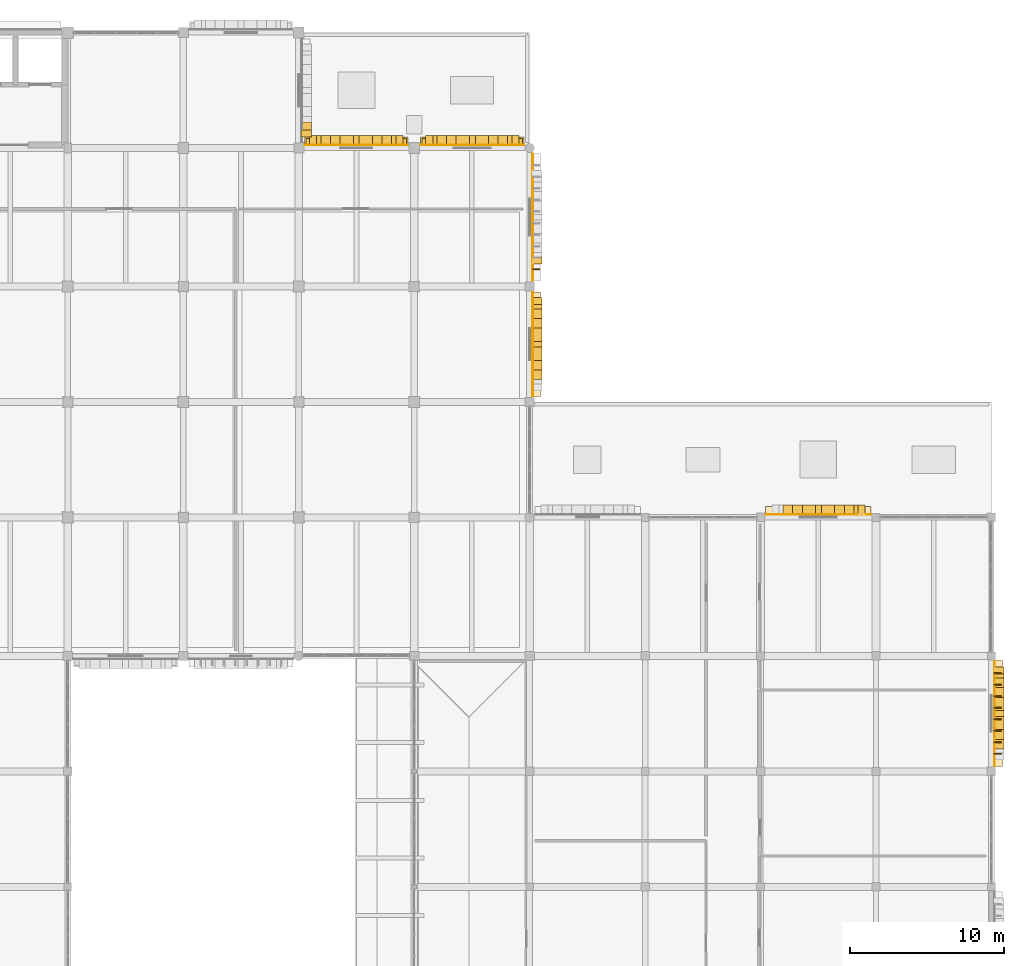
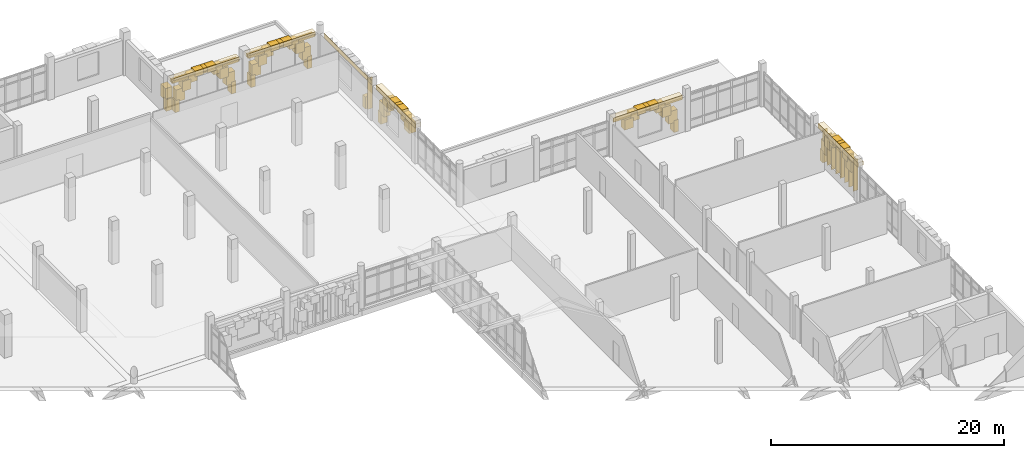
# One storey, part 127 of 128: 63 coverings, 11 shading devices.
"""IFC4 building model written with IfcOpenShell, lengths in metres."""

from ifc_helpers import new_model, si_unit, direction, frame, origin, origin_2d, place, context, subcontext, project, spatial, rectangle, extrude, material, layer, layer_set, type_object, element, save


model = new_model("IFC4")

# Units and contexts
model_context = context("Model", 3, precision=1e-05, world=origin(), true_north=direction((0.0, 1.0)))
body_context = subcontext(model_context, "Body", "Model", "MODEL_VIEW")
ifc_project = project(units=[si_unit("LENGTHUNIT", "METRE"), si_unit("AREAUNIT", "SQUARE_METRE"), si_unit("VOLUMEUNIT", "CUBIC_METRE"), si_unit("PLANEANGLEUNIT", "RADIAN"), si_unit("MASSUNIT", "GRAM", prefix="KILO")], contexts=[model_context])

# Site, building, storey
site_placement = place(None, origin())
site = spatial("IfcSite", under=ifc_project, at=site_placement, CompositionType="ELEMENT")
building_placement = place(site_placement, origin())
building = spatial("IfcBuilding", under=site, at=building_placement, Name="Dalvernix Boulevard General Hospital", CompositionType="ELEMENT")
storey_placement = place(building_placement, frame((0.0, 0.0, 4.800048828125)))
storey = spatial("IfcBuildingStorey", under=building, at=storey_placement, Name="L01", CompositionType="ELEMENT", Elevation=4.800048828125)

# Coverings
ifc_material_1 = material(Name="Pressed Catalan clay brick and dressed limestone parabolic archivolt", Category="masonry")
ifc_layer_1 = layer(ifc_material_1, 0.419921875)
ifc_layer_set_1 = layer_set([ifc_layer_1], Name="Pressed Catalan clay brick and dressed limestone parabolic archivolt (COV-ARC-01)")
covering_type_1 = type_object("IfcCoveringType", Name="COV-ARC-01", PredefinedType="CLADDING", material=ifc_layer_set_1)
covering_1_placement = place(storey_placement, frame((127.985107421875, 110.4375, 0.0), z_axis=(0.0, 0.0, 1.0), x_axis=(0.0, -1.0, 0.0)))
element("IfcCovering", 1, at=covering_1_placement, inside=storey, type_object=covering_type_1, Name="L01 Catalan parabolic arch impost pier E 17-14-R", PredefinedType="CLADDING", context=body_context, shape_type="SweptSolid", body=[
    extrude(rectangle(XDim=0.4599609375, YDim=0.659912109375, at=origin_2d()), origin(), (0.0, 0.0, 1.0), 1.25),
])
covering_2_placement = place(storey_placement, frame((127.985107421875, 110.74853515625, 1.06005859375), z_axis=(0.0, 0.0, 1.0), x_axis=(0.0, -1.0, 0.0)))
element("IfcCovering", 2, at=covering_2_placement, inside=storey, type_object=covering_type_1, Name="L01 Catalan parabolic archivolt voussoir E 17-14-9", PredefinedType="CLADDING", context=body_context, shape_type="SweptSolid", body=[
    extrude(rectangle(XDim=0.8623046875, YDim=0.659912109375, at=origin_2d()), origin(), (0.0, 0.0, 1.0), 1.272705078125),
])
for number, where, z_axis, x_axis, name in (
    (3, (128.4375, 109.985107421875, 0.0), (0.0, 0.0, 1.0), (1.0, 0.0, 0.0), "L01 Catalan parabolic arch impost pier N 17-14-L"),
    (4, (134.03759765625, 109.985107421875, 0.0), (0.0, 0.0, 1.0), (1.0, 0.0, 0.0), "L01 Catalan parabolic arch impost pier N 17-14-R"),
):
    element("IfcCovering", number, at=place(storey_placement, frame(where, z_axis=z_axis, x_axis=x_axis)), inside=storey, type_object=covering_type_1, Name=name, PredefinedType="CLADDING", context=body_context, shape_type="SweptSolid", body=[
        extrude(rectangle(XDim=0.4599609375, YDim=0.659912109375, at=origin_2d()), origin(), (0.0, 0.0, 1.0), 1.25),
    ])
covering_3_placement = place(storey_placement, frame((128.74853515625, 109.985107421875, 1.06005859375), z_axis=(0.0, 0.0, 1.0), x_axis=(1.0, 0.0, 0.0)))
element("IfcCovering", 5, at=covering_3_placement, inside=storey, type_object=covering_type_1, Name="L01 Catalan parabolic archivolt voussoir N 17-14-1", PredefinedType="CLADDING", context=body_context, shape_type="SweptSolid", body=[
    extrude(rectangle(XDim=0.8623046875, YDim=0.659912109375, at=origin_2d()), origin(), (0.0, 0.0, 1.0), 1.272705078125),
])
covering_4_placement = place(storey_placement, frame((129.370849609375, 109.985107421875, 1.95263671875), z_axis=(0.0, 0.0, 1.0), x_axis=(1.0, 0.0, 0.0)))
element("IfcCovering", 6, at=covering_4_placement, inside=storey, type_object=covering_type_1, Name="L01 Catalan parabolic archivolt voussoir N 17-14-2", PredefinedType="CLADDING", context=body_context, shape_type="SweptSolid", body=[
    extrude(rectangle(XDim=0.8623046875, YDim=0.659912109375, at=origin_2d()), origin(), (0.0, 0.0, 1.0), 1.049560546875),
])
covering_5_placement = place(storey_placement, frame((129.9931640625, 109.985107421875, 2.62255859375), z_axis=(0.0, 0.0, 1.0), x_axis=(1.0, 0.0, 0.0)))
element("IfcCovering", 7, at=covering_5_placement, inside=storey, type_object=covering_type_1, Name="L01 Catalan parabolic archivolt voussoir N 17-14-3", PredefinedType="CLADDING", context=body_context, shape_type="SweptSolid", body=[
    extrude(rectangle(XDim=0.8623046875, YDim=0.659912109375, at=origin_2d()), origin(), (0.0, 0.0, 1.0), 0.826416015625),
])
covering_6_placement = place(storey_placement, frame((130.615234375, 109.985107421875, 3.06884765625), z_axis=(0.0, 0.0, 1.0), x_axis=(1.0, 0.0, 0.0)))
element("IfcCovering", 8, at=covering_6_placement, inside=storey, type_object=covering_type_1, Name="L01 Catalan parabolic archivolt voussoir N 17-14-4", PredefinedType="CLADDING", context=body_context, shape_type="SweptSolid", body=[
    extrude(rectangle(XDim=0.8623046875, YDim=0.659912109375, at=origin_2d()), origin(), (0.0, 0.0, 1.0), 0.603271484375),
])
covering_7_placement = place(storey_placement, frame((131.237548828125, 109.985107421875, 3.2919921875), z_axis=(0.0, 0.0, 1.0), x_axis=(1.0, 0.0, 0.0)))
element("IfcCovering", 9, at=covering_7_placement, inside=storey, type_object=covering_type_1, Name="L01 Catalan parabolic archivolt voussoir N 17-14-5", PredefinedType="CLADDING", context=body_context, shape_type="SweptSolid", body=[
    extrude(rectangle(XDim=0.8623046875, YDim=0.659912109375, at=origin_2d()), origin(), (0.0, 0.0, 1.0), 0.3798828125),
])
covering_8_placement = place(storey_placement, frame((131.859619140625, 109.985107421875, 3.06884765625), z_axis=(0.0, 0.0, 1.0), x_axis=(1.0, 0.0, 0.0)))
element("IfcCovering", 10, at=covering_8_placement, inside=storey, type_object=covering_type_1, Name="L01 Catalan parabolic archivolt voussoir N 17-14-6", PredefinedType="CLADDING", context=body_context, shape_type="SweptSolid", body=[
    extrude(rectangle(XDim=0.8623046875, YDim=0.659912109375, at=origin_2d()), origin(), (0.0, 0.0, 1.0), 0.603271484375),
])
covering_9_placement = place(storey_placement, frame((132.48193359375, 109.985107421875, 2.62255859375), z_axis=(0.0, 0.0, 1.0), x_axis=(1.0, 0.0, 0.0)))
element("IfcCovering", 11, at=covering_9_placement, inside=storey, type_object=covering_type_1, Name="L01 Catalan parabolic archivolt voussoir N 17-14-7", PredefinedType="CLADDING", context=body_context, shape_type="SweptSolid", body=[
    extrude(rectangle(XDim=0.8623046875, YDim=0.659912109375, at=origin_2d()), origin(), (0.0, 0.0, 1.0), 0.826416015625),
])
covering_10_placement = place(storey_placement, frame((133.104248046875, 109.985107421875, 1.95263671875), z_axis=(0.0, 0.0, 1.0), x_axis=(1.0, 0.0, 0.0)))
element("IfcCovering", 12, at=covering_10_placement, inside=storey, type_object=covering_type_1, Name="L01 Catalan parabolic archivolt voussoir N 17-14-8", PredefinedType="CLADDING", context=body_context, shape_type="SweptSolid", body=[
    extrude(rectangle(XDim=0.8623046875, YDim=0.659912109375, at=origin_2d()), origin(), (0.0, 0.0, 1.0), 1.049560546875),
])
covering_11_placement = place(storey_placement, frame((133.726318359375, 109.985107421875, 1.06005859375), z_axis=(0.0, 0.0, 1.0), x_axis=(1.0, 0.0, 0.0)))
element("IfcCovering", 13, at=covering_11_placement, inside=storey, type_object=covering_type_1, Name="L01 Catalan parabolic archivolt voussoir N 17-14-9", PredefinedType="CLADDING", context=body_context, shape_type="SweptSolid", body=[
    extrude(rectangle(XDim=0.8623046875, YDim=0.659912109375, at=origin_2d()), origin(), (0.0, 0.0, 1.0), 1.272705078125),
])
covering_12_placement = place(storey_placement, frame((142.985107421875, 99.550048828125, 0.0), z_axis=(0.0, 0.0, 1.0), x_axis=(0.0, -1.0, 0.0)))
element("IfcCovering", 14, at=covering_12_placement, inside=storey, type_object=covering_type_1, Name="L01 Catalan parabolic arch impost pier E 19-12-L", PredefinedType="CLADDING", context=body_context, shape_type="SweptSolid", body=[
    extrude(rectangle(XDim=0.4599609375, YDim=0.659912109375, at=origin_2d()), origin(), (0.0, 0.0, 1.0), 1.25),
])
covering_13_placement = place(storey_placement, frame((142.985107421875, 99.239013671875, 1.06005859375), z_axis=(0.0, 0.0, 1.0), x_axis=(0.0, -1.0, 0.0)))
element("IfcCovering", 15, at=covering_13_placement, inside=storey, type_object=covering_type_1, Name="L01 Catalan parabolic archivolt voussoir E 19-12-1", PredefinedType="CLADDING", context=body_context, shape_type="SweptSolid", body=[
    extrude(rectangle(XDim=0.8623046875, YDim=0.659912109375, at=origin_2d()), origin(), (0.0, 0.0, 1.0), 1.272705078125),
])
covering_14_placement = place(storey_placement, frame((142.985107421875, 98.61669921875, 1.95263671875), z_axis=(0.0, 0.0, 1.0), x_axis=(0.0, -1.0, 0.0)))
element("IfcCovering", 16, at=covering_14_placement, inside=storey, type_object=covering_type_1, Name="L01 Catalan parabolic archivolt voussoir E 19-12-2", PredefinedType="CLADDING", context=body_context, shape_type="SweptSolid", body=[
    extrude(rectangle(XDim=0.8623046875, YDim=0.659912109375, at=origin_2d()), origin(), (0.0, 0.0, 1.0), 1.049560546875),
])
covering_15_placement = place(storey_placement, frame((142.985107421875, 97.994384765625, 2.62255859375), z_axis=(0.0, 0.0, 1.0), x_axis=(0.0, -1.0, 0.0)))
element("IfcCovering", 17, at=covering_15_placement, inside=storey, type_object=covering_type_1, Name="L01 Catalan parabolic archivolt voussoir E 19-12-3", PredefinedType="CLADDING", context=body_context, shape_type="SweptSolid", body=[
    extrude(rectangle(XDim=0.8623046875, YDim=0.659912109375, at=origin_2d()), origin(), (0.0, 0.0, 1.0), 0.826416015625),
])
covering_16_placement = place(storey_placement, frame((142.985107421875, 97.372314453125, 3.06884765625), z_axis=(0.0, 0.0, 1.0), x_axis=(0.0, -1.0, 0.0)))
element("IfcCovering", 18, at=covering_16_placement, inside=storey, type_object=covering_type_1, Name="L01 Catalan parabolic archivolt voussoir E 19-12-4", PredefinedType="CLADDING", context=body_context, shape_type="SweptSolid", body=[
    extrude(rectangle(XDim=0.8623046875, YDim=0.659912109375, at=origin_2d()), origin(), (0.0, 0.0, 1.0), 0.603271484375),
])
covering_17_placement = place(storey_placement, frame((142.985107421875, 96.75, 3.2919921875), z_axis=(0.0, 0.0, 1.0), x_axis=(0.0, -1.0, 0.0)))
element("IfcCovering", 19, at=covering_17_placement, inside=storey, type_object=covering_type_1, Name="L01 Catalan parabolic archivolt voussoir E 19-12-5", PredefinedType="CLADDING", context=body_context, shape_type="SweptSolid", body=[
    extrude(rectangle(XDim=0.8623046875, YDim=0.659912109375, at=origin_2d()), origin(), (0.0, 0.0, 1.0), 0.3798828125),
])
covering_18_placement = place(storey_placement, frame((142.985107421875, 96.127685546875, 3.06884765625), z_axis=(0.0, 0.0, 1.0), x_axis=(0.0, -1.0, 0.0)))
element("IfcCovering", 20, at=covering_18_placement, inside=storey, type_object=covering_type_1, Name="L01 Catalan parabolic archivolt voussoir E 19-12-6", PredefinedType="CLADDING", context=body_context, shape_type="SweptSolid", body=[
    extrude(rectangle(XDim=0.8623046875, YDim=0.659912109375, at=origin_2d()), origin(), (0.0, 0.0, 1.0), 0.603271484375),
])
covering_19_placement = place(storey_placement, frame((142.985107421875, 95.505615234375, 2.62255859375), z_axis=(0.0, 0.0, 1.0), x_axis=(0.0, -1.0, 0.0)))
element("IfcCovering", 21, at=covering_19_placement, inside=storey, type_object=covering_type_1, Name="L01 Catalan parabolic archivolt voussoir E 19-12-7", PredefinedType="CLADDING", context=body_context, shape_type="SweptSolid", body=[
    extrude(rectangle(XDim=0.8623046875, YDim=0.659912109375, at=origin_2d()), origin(), (0.0, 0.0, 1.0), 0.826416015625),
])
covering_20_placement = place(storey_placement, frame((142.985107421875, 94.88330078125, 1.95263671875), z_axis=(0.0, 0.0, 1.0), x_axis=(0.0, -1.0, 0.0)))
element("IfcCovering", 22, at=covering_20_placement, inside=storey, type_object=covering_type_1, Name="L01 Catalan parabolic archivolt voussoir E 19-12-8", PredefinedType="CLADDING", context=body_context, shape_type="SweptSolid", body=[
    extrude(rectangle(XDim=0.8623046875, YDim=0.659912109375, at=origin_2d()), origin(), (0.0, 0.0, 1.0), 1.049560546875),
])
for number, where, z_axis, x_axis, name in (
    (23, (135.97509765625, 109.985107421875, 0.0), (0.0, 0.0, 1.0), (1.0, 0.0, 0.0), "L01 Catalan parabolic arch impost pier N 18-14-L"),
    (24, (141.574951171875, 109.985107421875, 0.0), (0.0, 0.0, 1.0), (1.0, 0.0, 0.0), "L01 Catalan parabolic arch impost pier N 18-14-R"),
):
    element("IfcCovering", number, at=place(storey_placement, frame(where, z_axis=z_axis, x_axis=x_axis)), inside=storey, type_object=covering_type_1, Name=name, PredefinedType="CLADDING", context=body_context, shape_type="SweptSolid", body=[
        extrude(rectangle(XDim=0.4599609375, YDim=0.659912109375, at=origin_2d()), origin(), (0.0, 0.0, 1.0), 1.25),
    ])
covering_21_placement = place(storey_placement, frame((136.2861328125, 109.985107421875, 1.06005859375), z_axis=(0.0, 0.0, 1.0), x_axis=(1.0, 0.0, 0.0)))
element("IfcCovering", 25, at=covering_21_placement, inside=storey, type_object=covering_type_1, Name="L01 Catalan parabolic archivolt voussoir N 18-14-1", PredefinedType="CLADDING", context=body_context, shape_type="SweptSolid", body=[
    extrude(rectangle(XDim=0.8623046875, YDim=0.659912109375, at=origin_2d()), origin(), (0.0, 0.0, 1.0), 1.272705078125),
])
covering_22_placement = place(storey_placement, frame((136.908203125, 109.985107421875, 1.95263671875), z_axis=(0.0, 0.0, 1.0), x_axis=(1.0, 0.0, 0.0)))
element("IfcCovering", 26, at=covering_22_placement, inside=storey, type_object=covering_type_1, Name="L01 Catalan parabolic archivolt voussoir N 18-14-2", PredefinedType="CLADDING", context=body_context, shape_type="SweptSolid", body=[
    extrude(rectangle(XDim=0.8623046875, YDim=0.659912109375, at=origin_2d()), origin(), (0.0, 0.0, 1.0), 1.049560546875),
])
covering_23_placement = place(storey_placement, frame((137.530517578125, 109.985107421875, 2.62255859375), z_axis=(0.0, 0.0, 1.0), x_axis=(1.0, 0.0, 0.0)))
element("IfcCovering", 27, at=covering_23_placement, inside=storey, type_object=covering_type_1, Name="L01 Catalan parabolic archivolt voussoir N 18-14-3", PredefinedType="CLADDING", context=body_context, shape_type="SweptSolid", body=[
    extrude(rectangle(XDim=0.8623046875, YDim=0.659912109375, at=origin_2d()), origin(), (0.0, 0.0, 1.0), 0.826416015625),
])
covering_24_placement = place(storey_placement, frame((138.15283203125, 109.985107421875, 3.06884765625), z_axis=(0.0, 0.0, 1.0), x_axis=(1.0, 0.0, 0.0)))
element("IfcCovering", 28, at=covering_24_placement, inside=storey, type_object=covering_type_1, Name="L01 Catalan parabolic archivolt voussoir N 18-14-4", PredefinedType="CLADDING", context=body_context, shape_type="SweptSolid", body=[
    extrude(rectangle(XDim=0.8623046875, YDim=0.659912109375, at=origin_2d()), origin(), (0.0, 0.0, 1.0), 0.603271484375),
])
covering_25_placement = place(storey_placement, frame((138.77490234375, 109.985107421875, 3.2919921875), z_axis=(0.0, 0.0, 1.0), x_axis=(1.0, 0.0, 0.0)))
element("IfcCovering", 29, at=covering_25_placement, inside=storey, type_object=covering_type_1, Name="L01 Catalan parabolic archivolt voussoir N 18-14-5", PredefinedType="CLADDING", context=body_context, shape_type="SweptSolid", body=[
    extrude(rectangle(XDim=0.8623046875, YDim=0.659912109375, at=origin_2d()), origin(), (0.0, 0.0, 1.0), 0.3798828125),
])
covering_26_placement = place(storey_placement, frame((139.397216796875, 109.985107421875, 3.06884765625), z_axis=(0.0, 0.0, 1.0), x_axis=(1.0, 0.0, 0.0)))
element("IfcCovering", 30, at=covering_26_placement, inside=storey, type_object=covering_type_1, Name="L01 Catalan parabolic archivolt voussoir N 18-14-6", PredefinedType="CLADDING", context=body_context, shape_type="SweptSolid", body=[
    extrude(rectangle(XDim=0.8623046875, YDim=0.659912109375, at=origin_2d()), origin(), (0.0, 0.0, 1.0), 0.603271484375),
])
covering_27_placement = place(storey_placement, frame((140.019287109375, 109.985107421875, 2.62255859375), z_axis=(0.0, 0.0, 1.0), x_axis=(1.0, 0.0, 0.0)))
element("IfcCovering", 31, at=covering_27_placement, inside=storey, type_object=covering_type_1, Name="L01 Catalan parabolic archivolt voussoir N 18-14-7", PredefinedType="CLADDING", context=body_context, shape_type="SweptSolid", body=[
    extrude(rectangle(XDim=0.8623046875, YDim=0.659912109375, at=origin_2d()), origin(), (0.0, 0.0, 1.0), 0.826416015625),
])
covering_28_placement = place(storey_placement, frame((140.6416015625, 109.985107421875, 1.95263671875), z_axis=(0.0, 0.0, 1.0), x_axis=(1.0, 0.0, 0.0)))
element("IfcCovering", 32, at=covering_28_placement, inside=storey, type_object=covering_type_1, Name="L01 Catalan parabolic archivolt voussoir N 18-14-8", PredefinedType="CLADDING", context=body_context, shape_type="SweptSolid", body=[
    extrude(rectangle(XDim=0.8623046875, YDim=0.659912109375, at=origin_2d()), origin(), (0.0, 0.0, 1.0), 1.049560546875),
])
covering_29_placement = place(storey_placement, frame((141.263916015625, 109.985107421875, 1.06005859375), z_axis=(0.0, 0.0, 1.0), x_axis=(1.0, 0.0, 0.0)))
element("IfcCovering", 33, at=covering_29_placement, inside=storey, type_object=covering_type_1, Name="L01 Catalan parabolic archivolt voussoir N 18-14-9", PredefinedType="CLADDING", context=body_context, shape_type="SweptSolid", body=[
    extrude(rectangle(XDim=0.8623046875, YDim=0.659912109375, at=origin_2d()), origin(), (0.0, 0.0, 1.0), 1.272705078125),
])
for number, where, z_axis, x_axis, name in (
    (34, (142.985107421875, 102.199951171875, 0.0), (0.0, 0.0, 1.0), (0.0, -1.0, 0.0), "L01 Catalan parabolic arch impost pier E 19-13-R"),
    (35, (164.0625, 85.985107421875, 0.0), (0.0, 0.0, 1.0), (1.0, 0.0, 0.0), "L01 Catalan parabolic arch impost pier N 21-11-R"),
):
    element("IfcCovering", number, at=place(storey_placement, frame(where, z_axis=z_axis, x_axis=x_axis)), inside=storey, type_object=covering_type_1, Name=name, PredefinedType="CLADDING", context=body_context, shape_type="SweptSolid", body=[
        extrude(rectangle(XDim=0.4599609375, YDim=0.659912109375, at=origin_2d()), origin(), (0.0, 0.0, 1.0), 1.25),
    ])
covering_30_placement = place(storey_placement, frame((159.395751953125, 85.985107421875, 1.95263671875), z_axis=(0.0, 0.0, 1.0), x_axis=(1.0, 0.0, 0.0)))
element("IfcCovering", 36, at=covering_30_placement, inside=storey, type_object=covering_type_1, Name="L01 Catalan parabolic archivolt voussoir N 21-11-2", PredefinedType="CLADDING", context=body_context, shape_type="SweptSolid", body=[
    extrude(rectangle(XDim=0.8623046875, YDim=0.659912109375, at=origin_2d()), origin(), (0.0, 0.0, 1.0), 1.049560546875),
])
covering_31_placement = place(storey_placement, frame((160.01806640625, 85.985107421875, 2.62255859375), z_axis=(0.0, 0.0, 1.0), x_axis=(1.0, 0.0, 0.0)))
element("IfcCovering", 37, at=covering_31_placement, inside=storey, type_object=covering_type_1, Name="L01 Catalan parabolic archivolt voussoir N 21-11-3", PredefinedType="CLADDING", context=body_context, shape_type="SweptSolid", body=[
    extrude(rectangle(XDim=0.8623046875, YDim=0.659912109375, at=origin_2d()), origin(), (0.0, 0.0, 1.0), 0.826416015625),
])
covering_32_placement = place(storey_placement, frame((160.640380859375, 85.985107421875, 3.06884765625), z_axis=(0.0, 0.0, 1.0), x_axis=(1.0, 0.0, 0.0)))
element("IfcCovering", 38, at=covering_32_placement, inside=storey, type_object=covering_type_1, Name="L01 Catalan parabolic archivolt voussoir N 21-11-4", PredefinedType="CLADDING", context=body_context, shape_type="SweptSolid", body=[
    extrude(rectangle(XDim=0.8623046875, YDim=0.659912109375, at=origin_2d()), origin(), (0.0, 0.0, 1.0), 0.603271484375),
])
covering_33_placement = place(storey_placement, frame((161.262451171875, 85.985107421875, 3.2919921875), z_axis=(0.0, 0.0, 1.0), x_axis=(1.0, 0.0, 0.0)))
element("IfcCovering", 39, at=covering_33_placement, inside=storey, type_object=covering_type_1, Name="L01 Catalan parabolic archivolt voussoir N 21-11-5", PredefinedType="CLADDING", context=body_context, shape_type="SweptSolid", body=[
    extrude(rectangle(XDim=0.8623046875, YDim=0.659912109375, at=origin_2d()), origin(), (0.0, 0.0, 1.0), 0.3798828125),
])
covering_34_placement = place(storey_placement, frame((161.884765625, 85.985107421875, 3.06884765625), z_axis=(0.0, 0.0, 1.0), x_axis=(1.0, 0.0, 0.0)))
element("IfcCovering", 40, at=covering_34_placement, inside=storey, type_object=covering_type_1, Name="L01 Catalan parabolic archivolt voussoir N 21-11-6", PredefinedType="CLADDING", context=body_context, shape_type="SweptSolid", body=[
    extrude(rectangle(XDim=0.8623046875, YDim=0.659912109375, at=origin_2d()), origin(), (0.0, 0.0, 1.0), 0.603271484375),
])
covering_35_placement = place(storey_placement, frame((162.5068359375, 85.985107421875, 2.62255859375), z_axis=(0.0, 0.0, 1.0), x_axis=(1.0, 0.0, 0.0)))
element("IfcCovering", 41, at=covering_35_placement, inside=storey, type_object=covering_type_1, Name="L01 Catalan parabolic archivolt voussoir N 21-11-7", PredefinedType="CLADDING", context=body_context, shape_type="SweptSolid", body=[
    extrude(rectangle(XDim=0.8623046875, YDim=0.659912109375, at=origin_2d()), origin(), (0.0, 0.0, 1.0), 0.826416015625),
])
covering_36_placement = place(storey_placement, frame((163.129150390625, 85.985107421875, 1.95263671875), z_axis=(0.0, 0.0, 1.0), x_axis=(1.0, 0.0, 0.0)))
element("IfcCovering", 42, at=covering_36_placement, inside=storey, type_object=covering_type_1, Name="L01 Catalan parabolic archivolt voussoir N 21-11-8", PredefinedType="CLADDING", context=body_context, shape_type="SweptSolid", body=[
    extrude(rectangle(XDim=0.8623046875, YDim=0.659912109375, at=origin_2d()), origin(), (0.0, 0.0, 1.0), 1.049560546875),
])
covering_37_placement = place(storey_placement, frame((163.75146484375, 85.985107421875, 1.06005859375), z_axis=(0.0, 0.0, 1.0), x_axis=(1.0, 0.0, 0.0)))
element("IfcCovering", 43, at=covering_37_placement, inside=storey, type_object=covering_type_1, Name="L01 Catalan parabolic archivolt voussoir N 21-11-9", PredefinedType="CLADDING", context=body_context, shape_type="SweptSolid", body=[
    extrude(rectangle(XDim=0.8623046875, YDim=0.659912109375, at=origin_2d()), origin(), (0.0, 0.0, 1.0), 1.272705078125),
])
covering_38_placement = place(storey_placement, frame((172.985107421875, 75.5625, 0.0), z_axis=(0.0, 0.0, 1.0), x_axis=(0.0, -1.0, 0.0)))
element("IfcCovering", 44, at=covering_38_placement, inside=storey, type_object=covering_type_1, Name="L01 Catalan parabolic arch impost pier E 23-9-L", PredefinedType="CLADDING", context=body_context, shape_type="SweptSolid", body=[
    extrude(rectangle(XDim=0.4599609375, YDim=0.659912109375, at=origin_2d()), origin(), (0.0, 0.0, 1.0), 1.25),
])
covering_39_placement = place(storey_placement, frame((172.985107421875, 75.25146484375, 1.06005859375), z_axis=(0.0, 0.0, 1.0), x_axis=(0.0, -1.0, 0.0)))
element("IfcCovering", 45, at=covering_39_placement, inside=storey, type_object=covering_type_1, Name="L01 Catalan parabolic archivolt voussoir E 23-9-1", PredefinedType="CLADDING", context=body_context, shape_type="SweptSolid", body=[
    extrude(rectangle(XDim=0.8623046875, YDim=0.659912109375, at=origin_2d()), origin(), (0.0, 0.0, 1.0), 1.272705078125),
])
covering_40_placement = place(storey_placement, frame((172.985107421875, 74.629150390625, 1.95263671875), z_axis=(0.0, 0.0, 1.0), x_axis=(0.0, -1.0, 0.0)))
element("IfcCovering", 46, at=covering_40_placement, inside=storey, type_object=covering_type_1, Name="L01 Catalan parabolic archivolt voussoir E 23-9-2", PredefinedType="CLADDING", context=body_context, shape_type="SweptSolid", body=[
    extrude(rectangle(XDim=0.8623046875, YDim=0.659912109375, at=origin_2d()), origin(), (0.0, 0.0, 1.0), 1.049560546875),
])
covering_41_placement = place(storey_placement, frame((172.985107421875, 74.0068359375, 2.62255859375), z_axis=(0.0, 0.0, 1.0), x_axis=(0.0, -1.0, 0.0)))
element("IfcCovering", 47, at=covering_41_placement, inside=storey, type_object=covering_type_1, Name="L01 Catalan parabolic archivolt voussoir E 23-9-3", PredefinedType="CLADDING", context=body_context, shape_type="SweptSolid", body=[
    extrude(rectangle(XDim=0.8623046875, YDim=0.659912109375, at=origin_2d()), origin(), (0.0, 0.0, 1.0), 0.826416015625),
])
covering_42_placement = place(storey_placement, frame((172.985107421875, 73.384765625, 3.06884765625), z_axis=(0.0, 0.0, 1.0), x_axis=(0.0, -1.0, 0.0)))
element("IfcCovering", 48, at=covering_42_placement, inside=storey, type_object=covering_type_1, Name="L01 Catalan parabolic archivolt voussoir E 23-9-4", PredefinedType="CLADDING", context=body_context, shape_type="SweptSolid", body=[
    extrude(rectangle(XDim=0.8623046875, YDim=0.659912109375, at=origin_2d()), origin(), (0.0, 0.0, 1.0), 0.603271484375),
])
covering_43_placement = place(storey_placement, frame((172.985107421875, 72.762451171875, 3.2919921875), z_axis=(0.0, 0.0, 1.0), x_axis=(0.0, -1.0, 0.0)))
element("IfcCovering", 49, at=covering_43_placement, inside=storey, type_object=covering_type_1, Name="L01 Catalan parabolic archivolt voussoir E 23-9-5", PredefinedType="CLADDING", context=body_context, shape_type="SweptSolid", body=[
    extrude(rectangle(XDim=0.8623046875, YDim=0.659912109375, at=origin_2d()), origin(), (0.0, 0.0, 1.0), 0.3798828125),
])
covering_44_placement = place(storey_placement, frame((172.985107421875, 72.140380859375, 3.06884765625), z_axis=(0.0, 0.0, 1.0), x_axis=(0.0, -1.0, 0.0)))
element("IfcCovering", 50, at=covering_44_placement, inside=storey, type_object=covering_type_1, Name="L01 Catalan parabolic archivolt voussoir E 23-9-6", PredefinedType="CLADDING", context=body_context, shape_type="SweptSolid", body=[
    extrude(rectangle(XDim=0.8623046875, YDim=0.659912109375, at=origin_2d()), origin(), (0.0, 0.0, 1.0), 0.603271484375),
])
covering_45_placement = place(storey_placement, frame((172.985107421875, 71.51806640625, 2.62255859375), z_axis=(0.0, 0.0, 1.0), x_axis=(0.0, -1.0, 0.0)))
element("IfcCovering", 51, at=covering_45_placement, inside=storey, type_object=covering_type_1, Name="L01 Catalan parabolic archivolt voussoir E 23-9-7", PredefinedType="CLADDING", context=body_context, shape_type="SweptSolid", body=[
    extrude(rectangle(XDim=0.8623046875, YDim=0.659912109375, at=origin_2d()), origin(), (0.0, 0.0, 1.0), 0.826416015625),
])
covering_46_placement = place(storey_placement, frame((172.985107421875, 70.895751953125, 1.95263671875), z_axis=(0.0, 0.0, 1.0), x_axis=(0.0, -1.0, 0.0)))
element("IfcCovering", 52, at=covering_46_placement, inside=storey, type_object=covering_type_1, Name="L01 Catalan parabolic archivolt voussoir E 23-9-8", PredefinedType="CLADDING", context=body_context, shape_type="SweptSolid", body=[
    extrude(rectangle(XDim=0.8623046875, YDim=0.659912109375, at=origin_2d()), origin(), (0.0, 0.0, 1.0), 1.049560546875),
])
ifc_material_2 = material(Name="Polychrome Catalan glazed ceramic spandrel tile panel")
ifc_layer_2 = layer(ifc_material_2, 0.044921875)
ifc_layer_set_2 = layer_set([ifc_layer_2], Name="Polychrome Catalan glazed ceramic spandrel tile panel (COV-CLD-01)")
covering_type_2 = type_object("IfcCoveringType", Name="COV-CLD-01", PredefinedType="CLADDING", material=ifc_layer_set_2)
covering_47_placement = place(storey_placement, frame((131.237548828125, 109.695068359375, 3.15478515625), z_axis=(0.0, 0.0, 1.0), x_axis=(1.0, 0.0, 0.0)))
element("IfcCovering", 53, at=covering_47_placement, inside=storey, type_object=covering_type_2, Name="L01 polychrome ceramic spandrel N 17-14", PredefinedType="CLADDING", context=body_context, shape_type="SweptSolid", body=[
    extrude(rectangle(XDim=6.705078125, YDim=0.044921875, at=origin_2d()), origin(), (0.0, 0.0, 1.0), 0.449951171875),
])
covering_48_placement = place(storey_placement, frame((142.695068359375, 96.75, 3.15478515625), z_axis=(0.0, 0.0, 1.0), x_axis=(0.0, -1.0, 0.0)))
element("IfcCovering", 54, at=covering_48_placement, inside=storey, type_object=covering_type_2, Name="L01 polychrome ceramic spandrel E 19-12", PredefinedType="CLADDING", context=body_context, shape_type="SweptSolid", body=[
    extrude(rectangle(XDim=6.780029296875, YDim=0.044921875, at=origin_2d()), origin(), (0.0, 0.0, 1.0), 0.449951171875),
])
covering_49_placement = place(storey_placement, frame((138.77490234375, 109.695068359375, 3.15478515625), z_axis=(0.0, 0.0, 1.0), x_axis=(1.0, 0.0, 0.0)))
element("IfcCovering", 55, at=covering_49_placement, inside=storey, type_object=covering_type_2, Name="L01 polychrome ceramic spandrel N 18-14", PredefinedType="CLADDING", context=body_context, shape_type="SweptSolid", body=[
    extrude(rectangle(XDim=6.72998046875, YDim=0.044921875, at=origin_2d()), origin(), (0.0, 0.0, 1.0), 0.449951171875),
])
covering_50_placement = place(storey_placement, frame((142.695068359375, 105.0, 3.15478515625), z_axis=(0.0, 0.0, 1.0), x_axis=(0.0, -1.0, 0.0)))
element("IfcCovering", 56, at=covering_50_placement, inside=storey, type_object=covering_type_2, Name="L01 polychrome ceramic spandrel E 19-13", PredefinedType="CLADDING", context=body_context, shape_type="SweptSolid", body=[
    extrude(rectangle(XDim=8.280029296875, YDim=0.044921875, at=origin_2d()), origin(), (0.0, 0.0, 1.0), 0.449951171875),
])
for number, where, z_axis, x_axis, name in (
    (57, (161.262451171875, 85.695068359375, 3.15478515625), (0.0, 0.0, 1.0), (1.0, 0.0, 0.0), "L01 polychrome ceramic spandrel N 21-11"),
    (58, (172.695068359375, 72.762451171875, 3.15478515625), (0.0, 0.0, 1.0), (0.0, -1.0, 0.0), "L01 polychrome ceramic spandrel E 23-9"),
):
    element("IfcCovering", number, at=place(storey_placement, frame(where, z_axis=z_axis, x_axis=x_axis)), inside=storey, type_object=covering_type_2, Name=name, PredefinedType="CLADDING", context=body_context, shape_type="SweptSolid", body=[
        extrude(rectangle(XDim=6.85498046875, YDim=0.044921875, at=origin_2d()), origin(), (0.0, 0.0, 1.0), 0.449951171875),
    ])
ifc_material_3 = material(Name="Dressed ochre limestone classical plinth, stringcourse and corbelled cornice", Category="masonry")
ifc_layer_3 = layer(ifc_material_3, 0.449951171875)
ifc_layer_set_3 = layer_set([ifc_layer_3], Name="Dressed ochre limestone classical plinth, stringcourse and corbelled cornice (COV-CRN-01)")
covering_type_3 = type_object("IfcCoveringType", Name="COV-CRN-01", PredefinedType="CLADDING", material=ifc_layer_set_3)
covering_51_placement = place(storey_placement, frame((131.237548828125, 109.93505859375, 3.22998046875), z_axis=(0.0, 0.0, 1.0), x_axis=(1.0, 0.0, 0.0)))
element("IfcCovering", 59, at=covering_51_placement, inside=storey, type_object=covering_type_3, Name="L01 classical corbelled cornice frieze N 17-14", PredefinedType="CLADDING", context=body_context, shape_type="SweptSolid", body=[
    extrude(rectangle(XDim=6.705078125, YDim=0.56005859375, at=origin_2d()), origin(), (0.0, 0.0, 1.0), 0.39990234375),
])
covering_52_placement = place(storey_placement, frame((142.93505859375, 96.75, 3.22998046875), z_axis=(0.0, 0.0, 1.0), x_axis=(0.0, -1.0, 0.0)))
element("IfcCovering", 60, at=covering_52_placement, inside=storey, type_object=covering_type_3, Name="L01 classical corbelled cornice frieze E 19-12", PredefinedType="CLADDING", context=body_context, shape_type="SweptSolid", body=[
    extrude(rectangle(XDim=6.780029296875, YDim=0.56005859375, at=origin_2d()), origin(), (0.0, 0.0, 1.0), 0.39990234375),
])
covering_53_placement = place(storey_placement, frame((138.77490234375, 109.93505859375, 3.22998046875), z_axis=(0.0, 0.0, 1.0), x_axis=(1.0, 0.0, 0.0)))
element("IfcCovering", 61, at=covering_53_placement, inside=storey, type_object=covering_type_3, Name="L01 classical corbelled cornice frieze N 18-14", PredefinedType="CLADDING", context=body_context, shape_type="SweptSolid", body=[
    extrude(rectangle(XDim=6.72998046875, YDim=0.56005859375, at=origin_2d()), origin(), (0.0, 0.0, 1.0), 0.39990234375),
])
for number, where, z_axis, x_axis, name in (
    (62, (161.262451171875, 85.93505859375, 3.22998046875), (0.0, 0.0, 1.0), (1.0, 0.0, 0.0), "L01 classical corbelled cornice frieze N 21-11"),
    (63, (172.93505859375, 72.762451171875, 3.22998046875), (0.0, 0.0, 1.0), (0.0, -1.0, 0.0), "L01 classical corbelled cornice frieze E 23-9"),
):
    element("IfcCovering", number, at=place(storey_placement, frame(where, z_axis=z_axis, x_axis=x_axis)), inside=storey, type_object=covering_type_3, Name=name, PredefinedType="CLADDING", context=body_context, shape_type="SweptSolid", body=[
        extrude(rectangle(XDim=6.85498046875, YDim=0.56005859375, at=origin_2d()), origin(), (0.0, 0.0, 1.0), 0.39990234375),
    ])

# Shading devices
ifc_material_4 = material(Name="Preservative-treated West African iroko timber", Category="wood")
shading_device_type_1 = type_object("IfcShadingDeviceType", Name="SHD-FIN-01", PredefinedType="USERDEFINED", material=ifc_material_4)
for number, where, z_axis, x_axis, name in (
    (64, (142.905029296875, 101.625, 0.1748046875), (0.0, 0.0, 1.0), (0.0, -1.0, 0.0), "L01 iroko brise-soleil fin 10"),
    (65, (172.905029296875, 75.387451171875, 0.1748046875), (0.0, 0.0, 1.0), (0.0, -1.0, 0.0), "L01 iroko brise-soleil fin 1"),
    (66, (172.905029296875, 74.637451171875, 0.1748046875), (0.0, 0.0, 1.0), (0.0, -1.0, 0.0), "L01 iroko brise-soleil fin 2"),
    (67, (172.905029296875, 73.887451171875, 0.1748046875), (0.0, 0.0, 1.0), (0.0, -1.0, 0.0), "L01 iroko brise-soleil fin 3"),
    (68, (172.905029296875, 73.137451171875, 0.1748046875), (0.0, 0.0, 1.0), (0.0, -1.0, 0.0), "L01 iroko brise-soleil fin 4"),
    (69, (172.905029296875, 72.387451171875, 0.1748046875), (0.0, 0.0, 1.0), (0.0, -1.0, 0.0), "L01 iroko brise-soleil fin 5"),
    (70, (172.905029296875, 71.637451171875, 0.1748046875), (0.0, 0.0, 1.0), (0.0, -1.0, 0.0), "L01 iroko brise-soleil fin 6"),
    (71, (172.905029296875, 70.887451171875, 0.1748046875), (0.0, 0.0, 1.0), (0.0, -1.0, 0.0), "L01 iroko brise-soleil fin 7"),
    (72, (172.905029296875, 70.137451171875, 0.1748046875), (0.0, 0.0, 1.0), (0.0, -1.0, 0.0), "L01 iroko brise-soleil fin 8"),
):
    element("IfcShadingDevice", number, at=place(storey_placement, frame(where, z_axis=z_axis, x_axis=x_axis)), inside=storey, type_object=shading_device_type_1, Name=name, ObjectType="FIN", PredefinedType="USERDEFINED", context=body_context, shape_type="SweptSolid", body=[
        extrude(rectangle(XDim=0.06494140625, YDim=0.47998046875, at=origin_2d()), origin(), (0.0, 0.0, 1.0), 3.280029296875),
    ])
ifc_material_5 = material(Name="Extruded aluminium solar jalousie louvre bank", Category="aluminium")
shading_device_type_2 = type_object("IfcShadingDeviceType", Name="SHD-JAL-01", PredefinedType="JALOUSIE", material=ifc_material_5)
shading_device_1_placement = place(storey_placement, frame((131.237548828125, 109.885009765625, 3.1298828125), z_axis=(0.0, 0.0, 1.0), x_axis=(1.0, 0.0, 0.0)))
element("IfcShadingDevice", 73, at=shading_device_1_placement, inside=storey, type_object=shading_device_type_2, Name="L01 solar jalousie louvre N 17-14", PredefinedType="JALOUSIE", context=body_context, shape_type="SweptSolid", body=[
    extrude(rectangle(XDim=6.5048828125, YDim=0.449951171875, at=origin_2d()), origin(), (0.0, 0.0, 1.0), 0.300048828125),
])
shading_device_2_placement = place(storey_placement, frame((138.77490234375, 109.885009765625, 3.1298828125), z_axis=(0.0, 0.0, 1.0), x_axis=(1.0, 0.0, 0.0)))
element("IfcShadingDevice", 74, at=shading_device_2_placement, inside=storey, type_object=shading_device_type_2, Name="L01 solar jalousie louvre N 18-14", PredefinedType="JALOUSIE", context=body_context, shape_type="SweptSolid", body=[
    extrude(rectangle(XDim=6.530029296875, YDim=0.449951171875, at=origin_2d()), origin(), (0.0, 0.0, 1.0), 0.300048828125),
])

save(model, "model.ifc")
